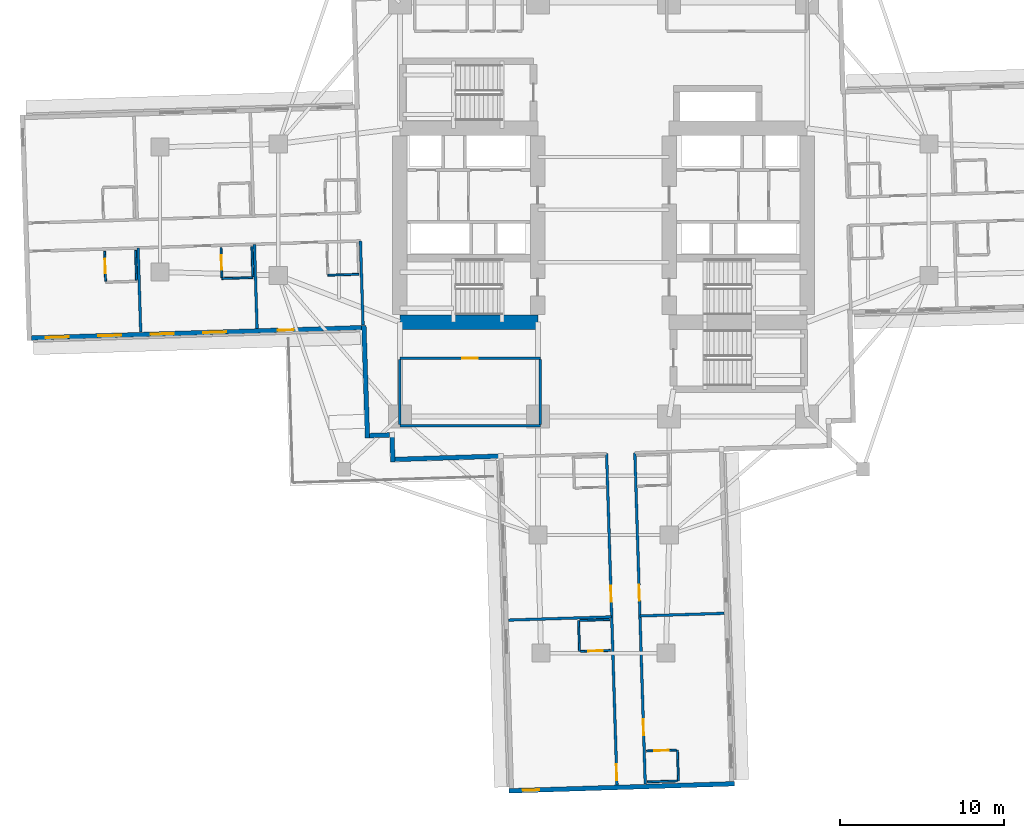
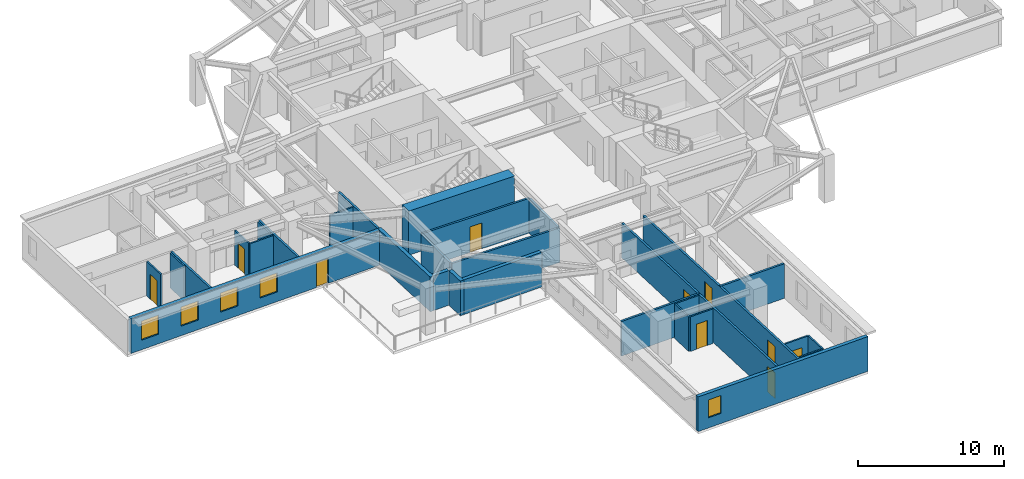
# One storey, part 3 of 14: 30 walls, 10 doors, 5 windows, 15 openings.
"""IFC4 building model written with IfcOpenShell, lengths in metres."""

import ifcopenshell
import ifcopenshell.guid

model = None  # the IFC model being written
_history = None  # IfcOwnerHistory: only IFC2X3 demands one
_inside = {}  # id of a spatial element -> (the spatial element, [elements in it])
_under = {}  # id of a project, library or spatial element -> (it, [spatial elements below it])
_declared = {}  # id of a project -> (the project, [libraries it declares])
_typed = {}  # id of a type object -> (the type object, [elements of that type])
_made_of = {}  # id of a material, layer set ... -> (it, [elements and type objects made of it])


def new_model(schema):
    """Start an empty IFC model of exactly this schema.

    Asked for "IFC4X3", IfcOpenShell would pick the latest addendum, in which some entities
    have other attributes; the version numbers below select the first issue.
    IFC2X3 requires an IfcOwnerHistory on every rooted entity: one is made here for all.
    """
    global model, _history
    if schema == "IFC4X3":
        model = ifcopenshell.file(schema_version=(4, 3, 0, 0))
    else:
        model = ifcopenshell.file(schema=schema)
    _inside.clear()
    _under.clear()
    _declared.clear()
    _typed.clear()
    _made_of.clear()
    _history = None
    if model.schema == "IFC2X3":
        org = make("IfcOrganization", Name="unknown")
        user = make(
            "IfcPersonAndOrganization",
            ThePerson=make("IfcPerson", FamilyName="unknown"),
            TheOrganization=org,
        )
        app = make(
            "IfcApplication",
            ApplicationDeveloper=org,
            Version="unknown",
            ApplicationFullName="unknown",
            ApplicationIdentifier="unknown",
        )
        _history = make(
            "IfcOwnerHistory",
            OwningUser=user,
            OwningApplication=app,
            ChangeAction="ADDED",
            CreationDate=0,
        )
    return model


def make(cls, **values):
    """One entity of the class cls with the attributes given. An attribute that is None is left unset."""
    return model.create_entity(
        cls, **{name: value for name, value in values.items() if value is not None}
    )


def rooted(cls, **values):
    """An entity with a GlobalId (a new one), such as an element, a storey or a relation."""
    return make(cls, GlobalId=ifcopenshell.guid.new(), OwnerHistory=_history, **values)


def si_unit(unit_type, name, prefix=None):
    """IfcSIUnit, for example si_unit("LENGTHUNIT", "METRE", prefix="MILLI")."""
    return make("IfcSIUnit", UnitType=unit_type, Prefix=prefix, Name=name)


def assignment(units):
    """IfcUnitAssignment: the units of a project."""
    return None if units is None else make("IfcUnitAssignment", Units=units)


def point(xyz):
    """IfcCartesianPoint."""
    return None if xyz is None else make("IfcCartesianPoint", Coordinates=xyz)


def direction(xyz):
    """IfcDirection."""
    return None if xyz is None else make("IfcDirection", DirectionRatios=xyz)


def frame(location, z_axis=None, x_axis=None):
    """IfcAxis2Placement3D, a coordinate frame: its origin and axes. An axis left out is left unset."""
    return make(
        "IfcAxis2Placement3D",
        Location=point(location),
        Axis=direction(z_axis),
        RefDirection=direction(x_axis),
    )


def frame_2d(location, x_axis=None):
    """IfcAxis2Placement2D, a coordinate frame in the plane: its origin and x axis."""
    return make(
        "IfcAxis2Placement2D", Location=point(location), RefDirection=direction(x_axis)
    )


def origin():
    """The frame at (0, 0, 0) with its axes left unset."""
    return frame((0.0, 0.0, 0.0))


def place(relative_to, where):
    """IfcLocalPlacement: puts the frame where relative to a parent placement (None: the world)."""
    return make(
        "IfcLocalPlacement", PlacementRelTo=relative_to, RelativePlacement=where
    )


def context(
    kind, dimensions, precision=None, world=None, true_north=None, identifier=None
):
    """IfcGeometricRepresentationContext, for example the 3D "Model" context."""
    return make(
        "IfcGeometricRepresentationContext",
        ContextIdentifier=identifier,
        ContextType=kind,
        CoordinateSpaceDimension=dimensions,
        Precision=precision,
        WorldCoordinateSystem=world,
        TrueNorth=true_north,
    )


def subcontext(parent, identifier, kind, view, scale=None):
    """IfcGeometricRepresentationSubContext, for example "Body" below "Model"."""
    return make(
        "IfcGeometricRepresentationSubContext",
        ContextIdentifier=identifier,
        ContextType=kind,
        ParentContext=parent,
        TargetScale=scale,
        TargetView=view,
    )


def project(units=None, contexts=None):
    """IfcProject with its units and contexts."""
    return rooted(
        "IfcProject",
        Name="project",
        RepresentationContexts=contexts,
        UnitsInContext=assignment(units),
    )


def spatial(cls, under=None, at=None, **own):
    """A site, building, storey or space (cls), placed at a placement, below another one or the project."""
    s = rooted(cls, ObjectPlacement=at, **own)
    if under is not None:
        _under.setdefault(under.id(), (under, []))[1].append(s)
    return s


def profile(cls, at=None, kind="AREA", **sizes):
    """A parametric profile (cls). Its sizes go by their IFC names, for example OverallWidth=200.0."""
    return make(cls, ProfileType=kind, Position=at, **sizes)


def rectangle(**sizes):
    """IfcRectangleProfileDef."""
    return profile("IfcRectangleProfileDef", **sizes)


def extrude(swept, where, along, depth):
    """IfcExtrudedAreaSolid: the profile swept, set in the frame where, extruded along a direction by depth."""
    return make(
        "IfcExtrudedAreaSolid",
        SweptArea=swept,
        Position=where,
        ExtrudedDirection=direction(along),
        Depth=depth,
    )


def shape(context_of_items, identifier, shape_type, items):
    """IfcShapeRepresentation: the items that make up one representation, for example the "Body"."""
    return make(
        "IfcShapeRepresentation",
        ContextOfItems=context_of_items,
        RepresentationIdentifier=identifier,
        RepresentationType=shape_type,
        Items=items,
    )


def material(Name=None, Category=None):
    """IfcMaterial."""
    return make("IfcMaterial", Name=Name, Category=Category)


def layer(
    of_material, thickness, ventilated=None, Name=None, Category=None, Priority=None
):
    """IfcMaterialLayer: one layer of a wall or slab, of a material (None: an air gap)."""
    return make(
        "IfcMaterialLayer",
        Material=of_material,
        LayerThickness=thickness,
        IsVentilated=ventilated,
        Name=Name,
        Category=Category,
        Priority=Priority,
    )


def layer_set(layers, Name=None):
    """IfcMaterialLayerSet."""
    return make("IfcMaterialLayerSet", MaterialLayers=layers, LayerSetName=Name)


def made_of(thing, what):
    """Note that an element or type object is made of a material, layer set ...; save() writes the relation."""
    if what is not None:
        _made_of.setdefault(what.id(), (what, []))[1].append(thing)
    return thing


def type_object(cls, material=None, **own):
    """A type object (cls), such as IfcWallType, which elements share."""
    return made_of(rooted(cls, **own), material)


def element(
    cls,
    number,
    at=None,
    inside=None,
    cuts=None,
    type_object=None,
    material=None,
    context=None,
    identifier="Body",
    shape_type=None,
    held_by="IfcProductDefinitionShape",
    body=None,
    shapes=None,
    **own,
):
    """One element of the class cls, such as IfcWall. Its Tag is "e" and its number.

    at: its placement. inside: the storey or other place that contains it. cuts: it is an
    opening in that element (IfcRelVoidsElement). A single representation is given by context,
    identifier, shape_type and body (its items); several are given by shapes. held_by: the class
    of the entity that holds the representations. save() writes the other relations.
    """
    e = rooted(cls, Tag="e%d" % number, ObjectPlacement=at, **own)
    if body is not None:
        shapes = [shape(context, identifier, shape_type, body)]
    if shapes is not None:
        e.Representation = make(held_by, Representations=shapes)
    if inside is not None:
        _inside.setdefault(inside.id(), (inside, []))[1].append(e)
    if cuts is not None:
        rooted(
            "IfcRelVoidsElement", RelatingBuildingElement=cuts, RelatedOpeningElement=e
        )
    if type_object is not None:
        _typed.setdefault(type_object.id(), (type_object, []))[1].append(e)
    return made_of(e, material)


def fill(opening, filler):
    """IfcRelFillsElement: the door or window that sits in an opening."""
    return rooted(
        "IfcRelFillsElement",
        RelatingOpeningElement=opening,
        RelatedBuildingElement=filler,
    )


def aggregate(whole, parts):
    """IfcRelAggregates: a whole, such as a stair, and the parts it consists of."""
    return rooted("IfcRelAggregates", RelatingObject=whole, RelatedObjects=parts)


def save(model, path):
    """Write the relations noted so far, then the file.

    IfcRelAggregates (storeys below a building ...), IfcRelContainedInSpatialStructure (elements
    in a storey), IfcRelDefinesByType, IfcRelAssociatesMaterial and IfcRelDeclares: one each for
    every whole, place, type object, material and project.
    """
    for whole, parts in _under.values():
        aggregate(whole, parts)
    for where, things in _inside.values():
        rooted(
            "IfcRelContainedInSpatialStructure",
            RelatedElements=things,
            RelatingStructure=where,
        )
    for kind, things in _typed.values():
        rooted("IfcRelDefinesByType", RelatedObjects=things, RelatingType=kind)
    for what, things in _made_of.values():
        rooted("IfcRelAssociatesMaterial", RelatedObjects=things, RelatingMaterial=what)
    for by, libraries in _declared.values():
        rooted("IfcRelDeclares", RelatingContext=by, RelatedDefinitions=libraries)
    model.write(path)


model = new_model("IFC4")

# Units and contexts
model_context = context("Model", 3, precision=1e-05, world=origin(), true_north=direction((0.0, 1.0)))
body_context = subcontext(model_context, "Body", "Model", "MODEL_VIEW")
ifc_project = project(units=[si_unit("LENGTHUNIT", "METRE"), si_unit("AREAUNIT", "SQUARE_METRE"), si_unit("VOLUMEUNIT", "CUBIC_METRE"), si_unit("PLANEANGLEUNIT", "RADIAN"), si_unit("MASSUNIT", "GRAM", prefix="KILO")], contexts=[model_context])

# Site, building, storey
site_placement = place(None, origin())
site = spatial("IfcSite", under=ifc_project, at=site_placement, CompositionType="ELEMENT")
building_placement = place(site_placement, origin())
building = spatial("IfcBuilding", under=site, at=building_placement, Name="Qingluan Cross Belvedere", CompositionType="ELEMENT")
storey_placement = place(building_placement, frame((0.0, 0.0, 56.10009765625)))
storey = spatial("IfcBuildingStorey", under=building, at=storey_placement, Name="L14", CompositionType="ELEMENT", Elevation=56.10009765625)

# Walls
ifc_material_1 = material(Name="Concrete C70", Category="concrete")
ifc_layer_1 = layer(ifc_material_1, 0.89990234375, Name="CoreShearWall_900")
ifc_layer_set_1 = layer_set([ifc_layer_1], Name="Concrete C70")
wall_type_1 = type_object("IfcWallType", Name="CoreShearWall_900", PredefinedType="SHEAR", material=ifc_layer_set_1)
wall_1_placement = place(storey_placement, frame((-12.39990234375, -6.85009765625, 0.0), z_axis=(0.0, 0.0, 1.0), x_axis=(1.0, 0.0, 0.0)))
element("IfcWall", 1, at=wall_1_placement, inside=storey, type_object=wall_type_1, Name="Split core W shear wall L14-S", PredefinedType="SHEAR", context=body_context, shape_type="SweptSolid", body=[
    extrude(rectangle(XDim=8.39990234375, YDim=0.89990234375, at=frame_2d((4.199951171875, 0.0))), origin(), (0.0, 0.0, 1.0), 3.699951171875),
])
ifc_material_2 = material(Name="Gypsum plasterboard on steel stud acoustic partition", Category="steel")
ifc_layer_2 = layer(ifc_material_2, 0.159912109375, Name="CorridorPartition_160")
ifc_layer_set_2 = layer_set([ifc_layer_2], Name="Gypsum plasterboard on steel stud acoustic partition")
wall_type_2 = type_object("IfcWallType", Name="CorridorPartition_160", PredefinedType="PARTITIONING", material=ifc_layer_set_2)
wall_2_placement = place(storey_placement, frame((-12.39990234375, -13.14990234375, 0.0), z_axis=(0.0, 0.0, 1.0), x_axis=(1.0, 0.0, 0.0)))
element("IfcWall", 2, at=wall_2_placement, inside=storey, type_object=wall_type_2, Name="Partition L14:q_sw:S", PredefinedType="PARTITIONING", context=body_context, shape_type="SweptSolid", body=[
    extrude(rectangle(XDim=8.5498046875, YDim=0.159912109375, at=frame_2d((4.27490234375, 0.0))), origin(), (0.0, 0.0, 1.0), 2.89990234375),
])

# Wall, opening, door
wall_3_placement = place(storey_placement, frame((-12.39990234375, -9.050048828125, 0.0), z_axis=(0.0, 0.0, 1.0), x_axis=(1.0, 0.0, 0.0)))
wall_3 = element("IfcWall", 3, at=wall_3_placement, inside=storey, type_object=wall_type_2, Name="Partition L14:q_sw:N", PredefinedType="PARTITIONING", context=body_context, shape_type="SweptSolid", body=[
    extrude(rectangle(XDim=8.5498046875, YDim=0.159912109375, at=frame_2d((4.27490234375, 0.0))), origin(), (0.0, 0.0, 1.0), 2.89990234375),
])
opening_1_placement = place(wall_3_placement, frame((3.794921875, 0.0, 0.0)))
opening_1 = element("IfcOpeningElement", 4, at=opening_1_placement, cuts=wall_3, Name="Opening GD-10", PredefinedType="OPENING", context=body_context, shape_type="SweptSolid", body=[
    extrude(rectangle(XDim=0.9599609375, YDim=2.14990234375, at=frame_2d((0.47998046875, 1.074951171875))), frame((0.0, 0.08984375, 0.0), z_axis=(0.0, -1.0, 0.0), x_axis=(1.0, 0.0, 0.0)), (0.0, 0.0, 1.0), 0.179931640625),
])
ifc_material_3 = material(Name="Timber oak fire-rated acoustic guestroom door", Category="wood")
door_type_1 = type_object("IfcDoorType", Name="GuestEntryDoor_FD60", OperationType="NOTDEFINED", PredefinedType="DOOR", material=ifc_material_3)
door_1_placement = place(opening_1_placement, origin())
door_1 = element("IfcDoor", 5, at=door_1_placement, inside=storey, type_object=door_type_1, Name="Spa treatment suite L14 door", OperationType="SINGLE_SWING_RIGHT", OverallHeight=2.14990234375, OverallWidth=0.9599609375, PredefinedType="DOOR", context=body_context, shape_type="SweptSolid", body=[
    extrude(rectangle(XDim=0.9599609375, YDim=2.14990234375, at=frame_2d((0.47998046875, 1.074951171875))), frame((0.0, 0.02490234375, 0.0), z_axis=(0.0, -1.0, 0.0), x_axis=(1.0, 0.0, 0.0)), (0.0, 0.0, 1.0), 0.050048828125),
])
fill(opening_1, door_1)

# Walls
for number, where, z_axis, x_axis, name in (
    (6, (-12.39990234375, -13.06494140625, 0.0), (0.0, 0.0, 1.0), (0.0, 1.0, 0.0), "Partition L14:q_sw:W"),
    (7, (-3.85009765625, -13.06494140625, 0.0), (0.0, 0.0, 1.0), (0.0, 1.0, 0.0), "Partition L14:q_sw:E"),
):
    element("IfcWall", number, at=place(storey_placement, frame(where, z_axis=z_axis, x_axis=x_axis)), inside=storey, type_object=wall_type_2, Name=name, PredefinedType="PARTITIONING", context=body_context, shape_type="SweptSolid", body=[
        extrude(rectangle(XDim=3.929931640625, YDim=0.159912109375, at=frame_2d((1.96484375, 0.0))), origin(), (0.0, 0.0, 1.0), 2.89990234375),
    ])
wall_4_placement = place(storey_placement, frame((-14.79736328125, -1.90576171875, 0.0), z_axis=(0.0, 0.0, 1.0), x_axis=(0.031398124315, -0.999506957349, 0.0)))
element("IfcWall", 8, at=wall_4_placement, inside=storey, type_object=wall_type_2, Name="Partition L14:W:s1", PredefinedType="PARTITIONING", context=body_context, shape_type="SweptSolid", body=[
    extrude(rectangle(XDim=5.1318359375, YDim=0.159912109375, at=frame_2d((2.56591796875, 0.0))), origin(), (0.0, 0.0, 1.0), 2.89990234375),
])
wall_5_placement = place(storey_placement, frame((-21.249267578125, -2.1083984375, 0.0), z_axis=(0.0, 0.0, 1.0), x_axis=(0.031444155076, -0.999505510296, 0.0)))
element("IfcWall", 9, at=wall_5_placement, inside=storey, type_object=wall_type_2, Name="Partition L14:W:d1_0", PredefinedType="PARTITIONING", context=body_context, shape_type="SweptSolid", body=[
    extrude(rectangle(XDim=5.132080078125, YDim=0.159912109375, at=frame_2d((2.56591796875, 0.0))), origin(), (0.0, 0.0, 1.0), 2.89990234375),
])
wall_6_placement = place(storey_placement, frame((-28.330810546875, -2.3310546875, 0.0), z_axis=(0.0, 0.0, 1.0), x_axis=(0.031445650224, -0.999505463258, 0.0)))
element("IfcWall", 10, at=wall_6_placement, inside=storey, type_object=wall_type_2, Name="Partition L14:W:d1_1", PredefinedType="PARTITIONING", context=body_context, shape_type="SweptSolid", body=[
    extrude(rectangle(XDim=5.1318359375, YDim=0.159912109375, at=frame_2d((2.56591796875, 0.0))), origin(), (0.0, 0.0, 1.0), 2.89990234375),
])

# Wall, openings, doors
wall_7_placement = place(storey_placement, frame((1.90576171875, -14.79736328125, 0.0), z_axis=(0.0, 0.0, 1.0), x_axis=(0.031415650687, -0.999506406629, 0.0)))
wall_7 = element("IfcWall", 11, at=wall_7_placement, inside=storey, type_object=wall_type_2, Name="Partition L14:S:c0", PredefinedType="PARTITIONING", context=body_context, shape_type="SweptSolid", body=[
    extrude(rectangle(XDim=20.18212890625, YDim=0.159912109375, at=frame_2d((10.091064453125, 0.0))), origin(), (0.0, 0.0, 1.0), 2.89990234375),
])
opening_2_placement = place(wall_7_placement, frame((8.047119140625, 0.0, 0.0)))
opening_2 = element("IfcOpeningElement", 12, at=opening_2_placement, cuts=wall_7, Name="Opening GD-10", PredefinedType="OPENING", context=body_context, shape_type="SweptSolid", body=[
    extrude(rectangle(XDim=0.9599609375, YDim=2.14990234375, at=frame_2d((0.47998046875, 1.074951171875))), frame((0.0, 0.08984375, 0.0), z_axis=(0.0, -1.0, 0.0), x_axis=(1.0, 0.0, 0.0)), (0.0, 0.0, 1.0), 0.179931640625),
])
opening_3_placement = place(wall_7_placement, frame((16.242919921875, 0.0, 0.0)))
opening_3 = element("IfcOpeningElement", 13, at=opening_3_placement, cuts=wall_7, Name="Opening GD-10", PredefinedType="OPENING", context=body_context, shape_type="SweptSolid", body=[
    extrude(rectangle(XDim=0.9599609375, YDim=2.14990234375, at=frame_2d((0.47998046875, 1.074951171875))), frame((0.0, 0.08984375, 0.0), z_axis=(0.0, -1.0, 0.0), x_axis=(1.0, 0.0, 0.0)), (0.0, 0.0, 1.0), 0.179931640625),
])
door_2_placement = place(opening_2_placement, origin())
door_2 = element("IfcDoor", 14, at=door_2_placement, inside=storey, type_object=door_type_1, Name="Guest entry fire door 1417", OperationType="SINGLE_SWING_LEFT", OverallHeight=2.14990234375, OverallWidth=0.9599609375, PredefinedType="DOOR", context=body_context, shape_type="SweptSolid", body=[
    extrude(rectangle(XDim=0.9599609375, YDim=2.14990234375, at=frame_2d((0.47998046875, 1.074951171875))), frame((0.0, 0.02490234375, 0.0), z_axis=(0.0, -1.0, 0.0), x_axis=(1.0, 0.0, 0.0)), (0.0, 0.0, 1.0), 0.050048828125),
])
fill(opening_2, door_2)
door_3_placement = place(opening_3_placement, origin())
door_3 = element("IfcDoor", 15, at=door_3_placement, inside=storey, type_object=door_type_1, Name="Guest entry fire door 1418", OperationType="SINGLE_SWING_LEFT", OverallHeight=2.14990234375, OverallWidth=0.9599609375, PredefinedType="DOOR", context=body_context, shape_type="SweptSolid", body=[
    extrude(rectangle(XDim=0.9599609375, YDim=2.14990234375, at=frame_2d((0.47998046875, 1.074951171875))), frame((0.0, 0.02490234375, 0.0), z_axis=(0.0, -1.0, 0.0), x_axis=(1.0, 0.0, 0.0)), (0.0, 0.0, 1.0), 0.050048828125),
])
fill(opening_3, door_3)

# Wall
wall_8_placement = place(storey_placement, frame((2.218017578125, -24.7333984375, 0.0), z_axis=(0.0, 0.0, 1.0), x_axis=(0.999506957349, 0.031398124315, 0.0)))
element("IfcWall", 16, at=wall_8_placement, inside=storey, type_object=wall_type_2, Name="Partition L14:S:d0_0", PredefinedType="PARTITIONING", context=body_context, shape_type="SweptSolid", body=[
    extrude(rectangle(XDim=5.1318359375, YDim=0.159912109375, at=frame_2d((2.56591796875, 0.0))), origin(), (0.0, 0.0, 1.0), 2.89990234375),
])

# Wall, openings, doors
wall_9_placement = place(storey_placement, frame((0.1865234375, -14.8515625, 0.0), z_axis=(0.0, 0.0, 1.0), x_axis=(0.031416030536, -0.99950639469, 0.0)))
wall_9 = element("IfcWall", 17, at=wall_9_placement, inside=storey, type_object=wall_type_2, Name="Partition L14:S:c1", PredefinedType="PARTITIONING", context=body_context, shape_type="SweptSolid", body=[
    extrude(rectangle(XDim=20.181884765625, YDim=0.159912109375, at=frame_2d((10.0908203125, 0.0))), origin(), (0.0, 0.0, 1.0), 2.89990234375),
])
opening_4_placement = place(wall_9_placement, frame((8.047119140625, 0.0, 0.0)))
opening_4 = element("IfcOpeningElement", 18, at=opening_4_placement, cuts=wall_9, Name="Opening GD-10", PredefinedType="OPENING", context=body_context, shape_type="SweptSolid", body=[
    extrude(rectangle(XDim=0.9599609375, YDim=2.14990234375, at=frame_2d((0.47998046875, 1.074951171875))), frame((0.0, 0.08984375, 0.0), z_axis=(0.0, -1.0, 0.0), x_axis=(1.0, 0.0, 0.0)), (0.0, 0.0, 1.0), 0.179931640625),
])
opening_5_placement = place(wall_9_placement, frame((18.929931640625, 0.0, 0.0)))
opening_5 = element("IfcOpeningElement", 19, at=opening_5_placement, cuts=wall_9, Name="Opening GD-10", PredefinedType="OPENING", context=body_context, shape_type="SweptSolid", body=[
    extrude(rectangle(XDim=0.9599609375, YDim=2.14990234375, at=frame_2d((0.47998046875, 1.074951171875))), frame((0.0, 0.08984375, 0.0), z_axis=(0.0, -1.0, 0.0), x_axis=(1.0, 0.0, 0.0)), (0.0, 0.0, 1.0), 0.179931640625),
])
door_4_placement = place(opening_4_placement, origin())
door_4 = element("IfcDoor", 20, at=door_4_placement, inside=storey, type_object=door_type_1, Name="Guest entry fire door 1419", OperationType="SINGLE_SWING_LEFT", OverallHeight=2.14990234375, OverallWidth=0.9599609375, PredefinedType="DOOR", context=body_context, shape_type="SweptSolid", body=[
    extrude(rectangle(XDim=0.9599609375, YDim=2.14990234375, at=frame_2d((0.47998046875, 1.074951171875))), frame((0.0, 0.02490234375, 0.0), z_axis=(0.0, -1.0, 0.0), x_axis=(1.0, 0.0, 0.0)), (0.0, 0.0, 1.0), 0.050048828125),
])
fill(opening_4, door_4)
door_5_placement = place(opening_5_placement, origin())
door_5 = element("IfcDoor", 21, at=door_5_placement, inside=storey, type_object=door_type_1, Name="Guest entry fire door 1420", OperationType="SINGLE_SWING_LEFT", OverallHeight=2.14990234375, OverallWidth=0.9599609375, PredefinedType="DOOR", context=body_context, shape_type="SweptSolid", body=[
    extrude(rectangle(XDim=0.9599609375, YDim=2.14990234375, at=frame_2d((0.47998046875, 1.074951171875))), frame((0.0, 0.02490234375, 0.0), z_axis=(0.0, -1.0, 0.0), x_axis=(1.0, 0.0, 0.0)), (0.0, 0.0, 1.0), 0.050048828125),
])
fill(opening_5, door_5)

# Walls
wall_10_placement = place(storey_placement, frame((0.498779296875, -24.78759765625, 0.0), z_axis=(0.0, 0.0, 1.0), x_axis=(-0.999507180466, -0.031391020963, 0.0)))
element("IfcWall", 22, at=wall_10_placement, inside=storey, type_object=wall_type_2, Name="Partition L14:S:d1_0", PredefinedType="PARTITIONING", context=body_context, shape_type="SweptSolid", body=[
    extrude(rectangle(XDim=6.2919921875, YDim=0.159912109375, at=frame_2d((3.14599609375, 0.0))), origin(), (0.0, 0.0, 1.0), 2.89990234375),
])
ifc_material_4 = material(Name="Moisture-resistant gypsum board lining")
ifc_layer_3 = layer(ifc_material_4, 0.1201171875, Name="EnsuiteWetPartition_120")
ifc_layer_set_3 = layer_set([ifc_layer_3], Name="Moisture-resistant gypsum board lining")
wall_type_3 = type_object("IfcWallType", Name="EnsuiteWetPartition_120", PredefinedType="PARTITIONING", material=ifc_layer_set_3)
wall_11_placement = place(storey_placement, frame((-14.893798828125, -3.934814453125, 0.0), z_axis=(0.0, 0.0, 1.0), x_axis=(-0.999505975261, -0.031429371883, 0.0)))
element("IfcWall", 23, at=wall_11_placement, inside=storey, type_object=wall_type_3, Name="Partition L14:W:bc1_0", PredefinedType="PARTITIONING", context=body_context, shape_type="SweptSolid", body=[
    extrude(rectangle(XDim=1.8798828125, YDim=0.1201171875, at=frame_2d((0.93994140625, 0.0))), origin(), (0.0, 0.0, 1.0), 2.89990234375),
])

# Wall, opening, door
wall_12_placement = place(storey_placement, frame((-23.226806640625, -4.131591796875, 0.0), z_axis=(0.0, 0.0, 1.0), x_axis=(-0.031389704724, 0.999507221803, 0.0)))
wall_12 = element("IfcWall", 24, at=wall_12_placement, inside=storey, type_object=wall_type_3, Name="Partition L14:W:bs1_1", PredefinedType="PARTITIONING", context=body_context, shape_type="SweptSolid", body=[
    extrude(rectangle(XDim=1.820068359375, YDim=0.1201171875, at=frame_2d((0.91015625, 0.0))), origin(), (0.0, 0.0, 1.0), 2.89990234375),
])
opening_6_placement = place(wall_12_placement, frame((0.469970703125, 0.0, 0.0)))
opening_6 = element("IfcOpeningElement", 25, at=opening_6_placement, cuts=wall_12, Name="Opening BD-09", PredefinedType="OPENING", context=body_context, shape_type="SweptSolid", body=[
    extrude(rectangle(XDim=0.8798828125, YDim=2.10009765625, at=frame_2d((0.43994140625, 1.050048828125))), frame((0.0, 0.070068359375, 0.0), z_axis=(0.0, -1.0, 0.0), x_axis=(1.0, 0.0, 0.0)), (0.0, 0.0, 1.0), 0.14013671875),
])
ifc_material_5 = material(Name="Moisture-sealed timber en-suite door", Category="wood")
door_type_2 = type_object("IfcDoorType", Name="BathroomDoor_880", OperationType="NOTDEFINED", PredefinedType="DOOR", material=ifc_material_5)
door_6_placement = place(opening_6_placement, origin())
door_6 = element("IfcDoor", 26, at=door_6_placement, inside=storey, type_object=door_type_2, Name="Bathroom door 1411", OperationType="SINGLE_SWING_RIGHT", OverallHeight=2.10009765625, OverallWidth=0.8798828125, PredefinedType="DOOR", context=body_context, shape_type="SweptSolid", body=[
    extrude(rectangle(XDim=0.8798828125, YDim=2.10009765625, at=frame_2d((0.43994140625, 1.050048828125))), frame((0.0, 0.02490234375, 0.0), z_axis=(0.0, -1.0, 0.0), x_axis=(1.0, 0.0, 0.0)), (0.0, 0.0, 1.0), 0.050048828125),
])
fill(opening_6, door_6)

# Walls
wall_13_placement = place(storey_placement, frame((-21.34765625, -4.072509765625, 0.0), z_axis=(0.0, 0.0, 1.0), x_axis=(-0.031389704724, 0.999507221803, 0.0)))
element("IfcWall", 27, at=wall_13_placement, inside=storey, type_object=wall_type_3, Name="Partition L14:W:bw1_1", PredefinedType="PARTITIONING", context=body_context, shape_type="SweptSolid", body=[
    extrude(rectangle(XDim=1.820068359375, YDim=0.1201171875, at=frame_2d((0.91015625, 0.0))), origin(), (0.0, 0.0, 1.0), 2.89990234375),
])
wall_14_placement = place(storey_placement, frame((-21.345703125, -4.137451171875, 0.0), z_axis=(0.0, 0.0, 1.0), x_axis=(-0.999505975261, -0.031429371883, 0.0)))
element("IfcWall", 28, at=wall_14_placement, inside=storey, type_object=wall_type_3, Name="Partition L14:W:bc1_1", PredefinedType="PARTITIONING", context=body_context, shape_type="SweptSolid", body=[
    extrude(rectangle(XDim=1.8798828125, YDim=0.1201171875, at=frame_2d((0.93994140625, 0.0))), origin(), (0.0, 0.0, 1.0), 2.89990234375),
])

# Wall, opening, door
wall_15_placement = place(storey_placement, frame((-30.30810546875, -4.354248046875, 0.0), z_axis=(0.0, 0.0, 1.0), x_axis=(-0.031519489708, 0.999503137448, 0.0)))
wall_15 = element("IfcWall", 29, at=wall_15_placement, inside=storey, type_object=wall_type_3, Name="Partition L14:W:bs1_2", PredefinedType="PARTITIONING", context=body_context, shape_type="SweptSolid", body=[
    extrude(rectangle(XDim=1.8203125, YDim=0.1201171875, at=frame_2d((0.91015625, 0.0))), origin(), (0.0, 0.0, 1.0), 2.89990234375),
])
opening_7_placement = place(wall_15_placement, frame((0.469970703125, 0.0, 0.0)))
opening_7 = element("IfcOpeningElement", 30, at=opening_7_placement, cuts=wall_15, Name="Opening BD-09", PredefinedType="OPENING", context=body_context, shape_type="SweptSolid", body=[
    extrude(rectangle(XDim=0.8798828125, YDim=2.10009765625, at=frame_2d((0.43994140625, 1.050048828125))), frame((0.0, 0.070068359375, 0.0), z_axis=(0.0, -1.0, 0.0), x_axis=(1.0, 0.0, 0.0)), (0.0, 0.0, 1.0), 0.14013671875),
])
door_7_placement = place(opening_7_placement, origin())
door_7 = element("IfcDoor", 31, at=door_7_placement, inside=storey, type_object=door_type_2, Name="Bathroom door 1412", OperationType="SINGLE_SWING_RIGHT", OverallHeight=2.10009765625, OverallWidth=0.8798828125, PredefinedType="DOOR", context=body_context, shape_type="SweptSolid", body=[
    extrude(rectangle(XDim=0.8798828125, YDim=2.10009765625, at=frame_2d((0.43994140625, 1.050048828125))), frame((0.0, 0.02490234375, 0.0), z_axis=(0.0, -1.0, 0.0), x_axis=(1.0, 0.0, 0.0)), (0.0, 0.0, 1.0), 0.050048828125),
])
fill(opening_7, door_7)

# Wall
wall_16_placement = place(storey_placement, frame((-28.42919921875, -4.295166015625, 0.0), z_axis=(0.0, 0.0, 1.0), x_axis=(-0.031389704724, 0.999507221803, 0.0)))
element("IfcWall", 32, at=wall_16_placement, inside=storey, type_object=wall_type_3, Name="Partition L14:W:bw1_2", PredefinedType="PARTITIONING", context=body_context, shape_type="SweptSolid", body=[
    extrude(rectangle(XDim=1.820068359375, YDim=0.1201171875, at=frame_2d((0.91015625, 0.0))), origin(), (0.0, 0.0, 1.0), 2.89990234375),
])

# Wall, opening, door
wall_17_placement = place(storey_placement, frame((2.616455078125, -32.9541015625, 0.0), z_axis=(0.0, 0.0, 1.0), x_axis=(0.999507221803, 0.031389704724, 0.0)))
wall_17 = element("IfcWall", 33, at=wall_17_placement, inside=storey, type_object=wall_type_3, Name="Partition L14:S:bs0_1", PredefinedType="PARTITIONING", context=body_context, shape_type="SweptSolid", body=[
    extrude(rectangle(XDim=1.820068359375, YDim=0.1201171875, at=frame_2d((0.91015625, 0.0))), origin(), (0.0, 0.0, 1.0), 2.89990234375),
])
opening_8_placement = place(wall_17_placement, frame((0.469970703125, 0.0, 0.0)))
opening_8 = element("IfcOpeningElement", 34, at=opening_8_placement, cuts=wall_17, Name="Opening BD-09", PredefinedType="OPENING", context=body_context, shape_type="SweptSolid", body=[
    extrude(rectangle(XDim=0.8798828125, YDim=2.10009765625, at=frame_2d((0.43994140625, 1.050048828125))), frame((0.0, 0.070068359375, 0.0), z_axis=(0.0, -1.0, 0.0), x_axis=(1.0, 0.0, 0.0)), (0.0, 0.0, 1.0), 0.14013671875),
])
door_8_placement = place(opening_8_placement, origin())
door_8 = element("IfcDoor", 35, at=door_8_placement, inside=storey, type_object=door_type_2, Name="Bathroom door 1418", OperationType="SINGLE_SWING_RIGHT", OverallHeight=2.10009765625, OverallWidth=0.8798828125, PredefinedType="DOOR", context=body_context, shape_type="SweptSolid", body=[
    extrude(rectangle(XDim=0.8798828125, YDim=2.10009765625, at=frame_2d((0.43994140625, 1.050048828125))), frame((0.0, 0.02490234375, 0.0), z_axis=(0.0, -1.0, 0.0), x_axis=(1.0, 0.0, 0.0)), (0.0, 0.0, 1.0), 0.050048828125),
])
fill(opening_8, door_8)

# Walls
wall_18_placement = place(storey_placement, frame((2.675537109375, -34.8330078125, 0.0), z_axis=(0.0, 0.0, 1.0), x_axis=(0.999507221803, 0.031389704724, 0.0)))
element("IfcWall", 36, at=wall_18_placement, inside=storey, type_object=wall_type_3, Name="Partition L14:S:bw0_1", PredefinedType="PARTITIONING", context=body_context, shape_type="SweptSolid", body=[
    extrude(rectangle(XDim=1.820068359375, YDim=0.1201171875, at=frame_2d((0.91015625, 0.0))), origin(), (0.0, 0.0, 1.0), 2.89990234375),
])
wall_19_placement = place(storey_placement, frame((4.50048828125, -32.89501953125, 0.0), z_axis=(0.0, 0.0, 1.0), x_axis=(0.031429371883, -0.999505975261, 0.0)))
element("IfcWall", 37, at=wall_19_placement, inside=storey, type_object=wall_type_3, Name="Partition L14:S:bn0_1", PredefinedType="PARTITIONING", context=body_context, shape_type="SweptSolid", body=[
    extrude(rectangle(XDim=1.8798828125, YDim=0.1201171875, at=frame_2d((0.93994140625, 0.0))), origin(), (0.0, 0.0, 1.0), 2.89990234375),
])

# Wall, opening, door
wall_20_placement = place(storey_placement, frame((-1.39599609375, -26.88818359375, 0.0), z_axis=(0.0, 0.0, 1.0), x_axis=(0.999507221803, 0.031389704724, 0.0)))
wall_20 = element("IfcWall", 38, at=wall_20_placement, inside=storey, type_object=wall_type_3, Name="Partition L14:S:bs1_1", PredefinedType="PARTITIONING", context=body_context, shape_type="SweptSolid", body=[
    extrude(rectangle(XDim=1.820068359375, YDim=0.1201171875, at=frame_2d((0.91015625, 0.0))), origin(), (0.0, 0.0, 1.0), 2.89990234375),
])
opening_9_placement = place(wall_20_placement, frame((0.469970703125, 0.0, 0.0)))
opening_9 = element("IfcOpeningElement", 39, at=opening_9_placement, cuts=wall_20, Name="Opening BD-09", PredefinedType="OPENING", context=body_context, shape_type="SweptSolid", body=[
    extrude(rectangle(XDim=0.8798828125, YDim=2.10009765625, at=frame_2d((0.43994140625, 1.050048828125))), frame((0.0, 0.070068359375, 0.0), z_axis=(0.0, -1.0, 0.0), x_axis=(1.0, 0.0, 0.0)), (0.0, 0.0, 1.0), 0.14013671875),
])
door_9_placement = place(opening_9_placement, origin())
door_9 = element("IfcDoor", 40, at=door_9_placement, inside=storey, type_object=door_type_2, Name="Bathroom door 1420", OperationType="SINGLE_SWING_RIGHT", OverallHeight=2.10009765625, OverallWidth=0.8798828125, PredefinedType="DOOR", context=body_context, shape_type="SweptSolid", body=[
    extrude(rectangle(XDim=0.8798828125, YDim=2.10009765625, at=frame_2d((0.43994140625, 1.050048828125))), frame((0.0, 0.02490234375, 0.0), z_axis=(0.0, -1.0, 0.0), x_axis=(1.0, 0.0, 0.0)), (0.0, 0.0, 1.0), 0.050048828125),
])
fill(opening_9, door_9)

# Walls
wall_21_placement = place(storey_placement, frame((-1.455078125, -25.009033203125, 0.0), z_axis=(0.0, 0.0, 1.0), x_axis=(0.999507221803, 0.031389704724, 0.0)))
element("IfcWall", 41, at=wall_21_placement, inside=storey, type_object=wall_type_3, Name="Partition L14:S:bw1_1", PredefinedType="PARTITIONING", context=body_context, shape_type="SweptSolid", body=[
    extrude(rectangle(XDim=1.820068359375, YDim=0.1201171875, at=frame_2d((0.91015625, 0.0))), origin(), (0.0, 0.0, 1.0), 2.89990234375),
])
wall_22_placement = place(storey_placement, frame((-1.52001953125, -25.010986328125, 0.0), z_axis=(0.0, 0.0, 1.0), x_axis=(0.031295563454, -0.999510173889, 0.0)))
element("IfcWall", 42, at=wall_22_placement, inside=storey, type_object=wall_type_3, Name="Partition L14:S:bc1_1", PredefinedType="PARTITIONING", context=body_context, shape_type="SweptSolid", body=[
    extrude(rectangle(XDim=1.880126953125, YDim=0.1201171875, at=frame_2d((0.93994140625, 0.0))), origin(), (0.0, 0.0, 1.0), 2.89990234375),
])

# Wall, openings, windows, door
ifc_material_6 = material(Name="Precast concrete C45", Category="concrete")
ifc_layer_4 = layer(ifc_material_6, 0.280029296875, Name="PrecastFacadeWall_280")
ifc_layer_set_4 = layer_set([ifc_layer_4], Name="Precast concrete C45")
wall_type_4 = type_object("IfcWallType", Name="PrecastFacadeWall_280", PredefinedType="STANDARD", material=ifc_layer_set_4)
wall_23_placement = place(storey_placement, frame((-34.8115234375, -7.8173828125, 0.0), z_axis=(0.0, 0.0, 1.0), x_axis=(0.999506574096, 0.031410322165, 0.0)))
wall_23 = element("IfcWall", 43, at=wall_23_placement, inside=storey, type_object=wall_type_4, Name="Facade wall L14-WB", PredefinedType="STANDARD", context=body_context, shape_type="SweptSolid", body=[
    extrude(rectangle(XDim=20.10009765625, YDim=0.280029296875, at=frame_2d((10.050048828125, 0.0))), origin(), (0.0, 0.0, 1.0), 2.909912109375),
])
opening_10_placement = place(wall_23_placement, frame((0.85009765625, 0.0, 0.800048828125)))
opening_10 = element("IfcOpeningElement", 44, at=opening_10_placement, cuts=wall_23, Name="Opening W-01", PredefinedType="OPENING", context=body_context, shape_type="SweptSolid", body=[
    extrude(rectangle(XDim=1.39990234375, YDim=1.60009765625, at=frame_2d((0.699951171875, 0.800048828125))), frame((0.0, 0.14990234375, 0.0), z_axis=(0.0, -1.0, 0.0), x_axis=(1.0, 0.0, 0.0)), (0.0, 0.0, 1.0), 0.300048828125),
])
opening_11_placement = place(wall_23_placement, frame((4.050048828125, 0.0, 0.800048828125)))
opening_11 = element("IfcOpeningElement", 45, at=opening_11_placement, cuts=wall_23, Name="Opening W-01", PredefinedType="OPENING", context=body_context, shape_type="SweptSolid", body=[
    extrude(rectangle(XDim=1.39990234375, YDim=1.60009765625, at=frame_2d((0.699951171875, 0.800048828125))), frame((0.0, 0.14990234375, 0.0), z_axis=(0.0, -1.0, 0.0), x_axis=(1.0, 0.0, 0.0)), (0.0, 0.0, 1.0), 0.300048828125),
])
opening_12_placement = place(wall_23_placement, frame((7.25, 0.0, 0.800048828125)))
opening_12 = element("IfcOpeningElement", 46, at=opening_12_placement, cuts=wall_23, Name="Opening W-01", PredefinedType="OPENING", context=body_context, shape_type="SweptSolid", body=[
    extrude(rectangle(XDim=1.39990234375, YDim=1.60009765625, at=frame_2d((0.699951171875, 0.800048828125))), frame((0.0, 0.14990234375, 0.0), z_axis=(0.0, -1.0, 0.0), x_axis=(1.0, 0.0, 0.0)), (0.0, 0.0, 1.0), 0.300048828125),
])
opening_13_placement = place(wall_23_placement, frame((10.449951171875, 0.0, 0.800048828125)))
opening_13 = element("IfcOpeningElement", 47, at=opening_13_placement, cuts=wall_23, Name="Opening W-01", PredefinedType="OPENING", context=body_context, shape_type="SweptSolid", body=[
    extrude(rectangle(XDim=1.39990234375, YDim=1.60009765625, at=frame_2d((0.699951171875, 0.800048828125))), frame((0.0, 0.14990234375, 0.0), z_axis=(0.0, -1.0, 0.0), x_axis=(1.0, 0.0, 0.0)), (0.0, 0.0, 1.0), 0.300048828125),
])
opening_14_placement = place(wall_23_placement, frame((15.0, 0.0, 0.0)))
opening_14 = element("IfcOpeningElement", 48, at=opening_14_placement, cuts=wall_23, Name="Opening WD-10", PredefinedType="OPENING", context=body_context, shape_type="SweptSolid", body=[
    extrude(rectangle(XDim=0.9599609375, YDim=2.10009765625, at=frame_2d((0.47998046875, 1.050048828125))), frame((0.0, 0.14990234375, 0.0), z_axis=(0.0, -1.0, 0.0), x_axis=(1.0, 0.0, 0.0)), (0.0, 0.0, 1.0), 0.300048828125),
])
ifc_material_7 = material(Name="Thermally broken triple Low-E glass in aluminium frame", Category="aluminium")
window_type_1 = type_object("IfcWindowType", Name="TriRibbonWin_1400x1600", PartitioningType="SINGLE_PANEL", PredefinedType="WINDOW", material=ifc_material_7)
window_1_placement = place(opening_10_placement, origin())
window_1 = element("IfcWindow", 49, at=window_1_placement, inside=storey, type_object=window_type_1, Name="Ribbon window L14-WB-1", OverallHeight=1.60009765625, OverallWidth=1.39990234375, PartitioningType="SINGLE_PANEL", PredefinedType="WINDOW", context=body_context, shape_type="SweptSolid", body=[
    extrude(rectangle(XDim=1.39990234375, YDim=1.60009765625, at=frame_2d((0.699951171875, 0.800048828125))), frame((0.0, 0.030029296875, 0.0), z_axis=(0.0, -1.0, 0.0), x_axis=(1.0, 0.0, 0.0)), (0.0, 0.0, 1.0), 0.06005859375),
])
fill(opening_10, window_1)
window_2_placement = place(opening_11_placement, origin())
window_2 = element("IfcWindow", 50, at=window_2_placement, inside=storey, type_object=window_type_1, Name="Ribbon window L14-WB-2", OverallHeight=1.60009765625, OverallWidth=1.39990234375, PartitioningType="SINGLE_PANEL", PredefinedType="WINDOW", context=body_context, shape_type="SweptSolid", body=[
    extrude(rectangle(XDim=1.39990234375, YDim=1.60009765625, at=frame_2d((0.699951171875, 0.800048828125))), frame((0.0, 0.030029296875, 0.0), z_axis=(0.0, -1.0, 0.0), x_axis=(1.0, 0.0, 0.0)), (0.0, 0.0, 1.0), 0.06005859375),
])
fill(opening_11, window_2)
window_3_placement = place(opening_12_placement, origin())
window_3 = element("IfcWindow", 51, at=window_3_placement, inside=storey, type_object=window_type_1, Name="Ribbon window L14-WB-3", OverallHeight=1.60009765625, OverallWidth=1.39990234375, PartitioningType="SINGLE_PANEL", PredefinedType="WINDOW", context=body_context, shape_type="SweptSolid", body=[
    extrude(rectangle(XDim=1.39990234375, YDim=1.60009765625, at=frame_2d((0.699951171875, 0.800048828125))), frame((0.0, 0.030029296875, 0.0), z_axis=(0.0, -1.0, 0.0), x_axis=(1.0, 0.0, 0.0)), (0.0, 0.0, 1.0), 0.06005859375),
])
fill(opening_12, window_3)
window_4_placement = place(opening_13_placement, origin())
window_4 = element("IfcWindow", 52, at=window_4_placement, inside=storey, type_object=window_type_1, Name="Ribbon window L14-WB-4", OverallHeight=1.60009765625, OverallWidth=1.39990234375, PartitioningType="SINGLE_PANEL", PredefinedType="WINDOW", context=body_context, shape_type="SweptSolid", body=[
    extrude(rectangle(XDim=1.39990234375, YDim=1.60009765625, at=frame_2d((0.699951171875, 0.800048828125))), frame((0.0, 0.030029296875, 0.0), z_axis=(0.0, -1.0, 0.0), x_axis=(1.0, 0.0, 0.0)), (0.0, 0.0, 1.0), 0.06005859375),
])
fill(opening_13, window_4)
ifc_material_8 = material(Name="Thermally broken aluminium and Low-E glass", Category="aluminium")
door_type_3 = type_object("IfcDoorType", Name="WinterGardenDoor_096", OperationType="NOTDEFINED", PredefinedType="DOOR", material=ifc_material_8)
door_10_placement = place(opening_14_placement, origin())
door_10 = element("IfcDoor", 53, at=door_10_placement, inside=storey, type_object=door_type_3, Name="Outdoor terrace access door L14-spi", OperationType="SINGLE_SWING_RIGHT", OverallHeight=2.10009765625, OverallWidth=0.9599609375, PredefinedType="DOOR", context=body_context, shape_type="SweptSolid", body=[
    extrude(rectangle(XDim=0.9599609375, YDim=2.10009765625, at=frame_2d((0.47998046875, 1.050048828125))), frame((0.0, 0.02490234375, 0.0), z_axis=(0.0, -1.0, 0.0), x_axis=(1.0, 0.0, 0.0)), (0.0, 0.0, 1.0), 0.050048828125),
])
fill(opening_14, door_10)

# Wall, opening, window
wall_24_placement = place(storey_placement, frame((-5.751708984375, -35.378173828125, 0.0), z_axis=(0.0, 0.0, 1.0), x_axis=(0.999506679556, 0.031406966164, 0.0)))
wall_24 = element("IfcWall", 54, at=wall_24_placement, inside=storey, type_object=wall_type_4, Name="Arm tip precast facade wall L14-S", PredefinedType="STANDARD", context=body_context, shape_type="SweptSolid", body=[
    extrude(rectangle(XDim=13.72021484375, YDim=0.280029296875, at=frame_2d((6.860107421875, 0.0))), origin(), (0.0, 0.0, 1.0), 2.909912109375),
])
opening_15_placement = place(wall_24_placement, frame((0.85009765625, 0.0, 0.85009765625)))
opening_15 = element("IfcOpeningElement", 55, at=opening_15_placement, cuts=wall_24, Name="Opening W-03", PredefinedType="OPENING", context=body_context, shape_type="SweptSolid", body=[
    extrude(rectangle(XDim=1.0, YDim=1.5, at=frame_2d((0.5, 0.75))), frame((0.0, 0.14990234375, 0.0), z_axis=(0.0, -1.0, 0.0), x_axis=(1.0, 0.0, 0.0)), (0.0, 0.0, 1.0), 0.300048828125),
])
ifc_material_9 = material(Name="Thermally broken triple Low-E glass in aluminium frame", Category="aluminium")
window_type_2 = type_object("IfcWindowType", Name="TriApexWin_1000x1500", PartitioningType="SINGLE_PANEL", PredefinedType="WINDOW", material=ifc_material_9)
window_5_placement = place(opening_15_placement, origin())
window_5 = element("IfcWindow", 56, at=window_5_placement, inside=storey, type_object=window_type_2, Name="Arm tip triangular window L14-S", OverallHeight=1.5, OverallWidth=1.0, PartitioningType="SINGLE_PANEL", PredefinedType="WINDOW", context=body_context, shape_type="SweptSolid", body=[
    extrude(rectangle(XDim=1.0, YDim=1.5, at=frame_2d((0.5, 0.75))), frame((0.0, 0.030029296875, 0.0), z_axis=(0.0, -1.0, 0.0), x_axis=(1.0, 0.0, 0.0)), (0.0, 0.0, 1.0), 0.06005859375),
])
fill(opening_15, window_5)

# Walls
wall_25_placement = place(storey_placement, frame((-14.5859375, -7.04150390625, 0.0), z_axis=(0.0, 0.0, 1.0), x_axis=(0.031389189386, -0.999507237988, 0.0)))
element("IfcWall", 57, at=wall_25_placement, inside=storey, type_object=wall_type_4, Name="Corner wall L14-SW1", PredefinedType="STANDARD", context=body_context, shape_type="SweptSolid", body=[
    extrude(rectangle(XDim=6.860107421875, YDim=0.280029296875, at=frame_2d((3.43017578125, 0.0))), origin(), (0.0, 0.0, 1.0), 2.909912109375),
])
wall_26_placement = place(storey_placement, frame((-14.235107421875, -13.75390625, 0.0), z_axis=(0.0, 0.0, 1.0), x_axis=(0.999506398264, 0.031415916822, 0.0)))
element("IfcWall", 58, at=wall_26_placement, inside=storey, type_object=wall_type_4, Name="Corner wall L14-SW2", PredefinedType="STANDARD", context=body_context, shape_type="SweptSolid", body=[
    extrude(rectangle(XDim=1.219970703125, YDim=0.280029296875, at=frame_2d((0.60986328125, 0.0))), origin(), (0.0, 0.0, 1.0), 2.909912109375),
])
wall_27_placement = place(storey_placement, frame((-12.871337890625, -13.85107421875, 0.0), z_axis=(0.0, 0.0, 1.0), x_axis=(0.031412596484, -0.999506502621, 0.0)))
element("IfcWall", 59, at=wall_27_placement, inside=storey, type_object=wall_type_4, Name="Corner wall L14-SW3", PredefinedType="STANDARD", context=body_context, shape_type="SweptSolid", body=[
    extrude(rectangle(XDim=1.5, YDim=0.280029296875, at=frame_2d((0.75, 0.0))), origin(), (0.0, 0.0, 1.0), 2.909912109375),
])
wall_28_placement = place(storey_placement, frame((-12.688720703125, -15.2060546875, 0.0), z_axis=(0.0, 0.0, 1.0), x_axis=(0.999507262922, 0.031388395416, 0.0)))
element("IfcWall", 60, at=wall_28_placement, inside=storey, type_object=wall_type_4, Name="Corner wall L14-SW4", PredefinedType="STANDARD", context=body_context, shape_type="SweptSolid", body=[
    extrude(rectangle(XDim=6.30029296875, YDim=0.280029296875, at=frame_2d((3.150146484375, 0.0))), origin(), (0.0, 0.0, 1.0), 2.909912109375),
])

save(model, "model.ifc")
